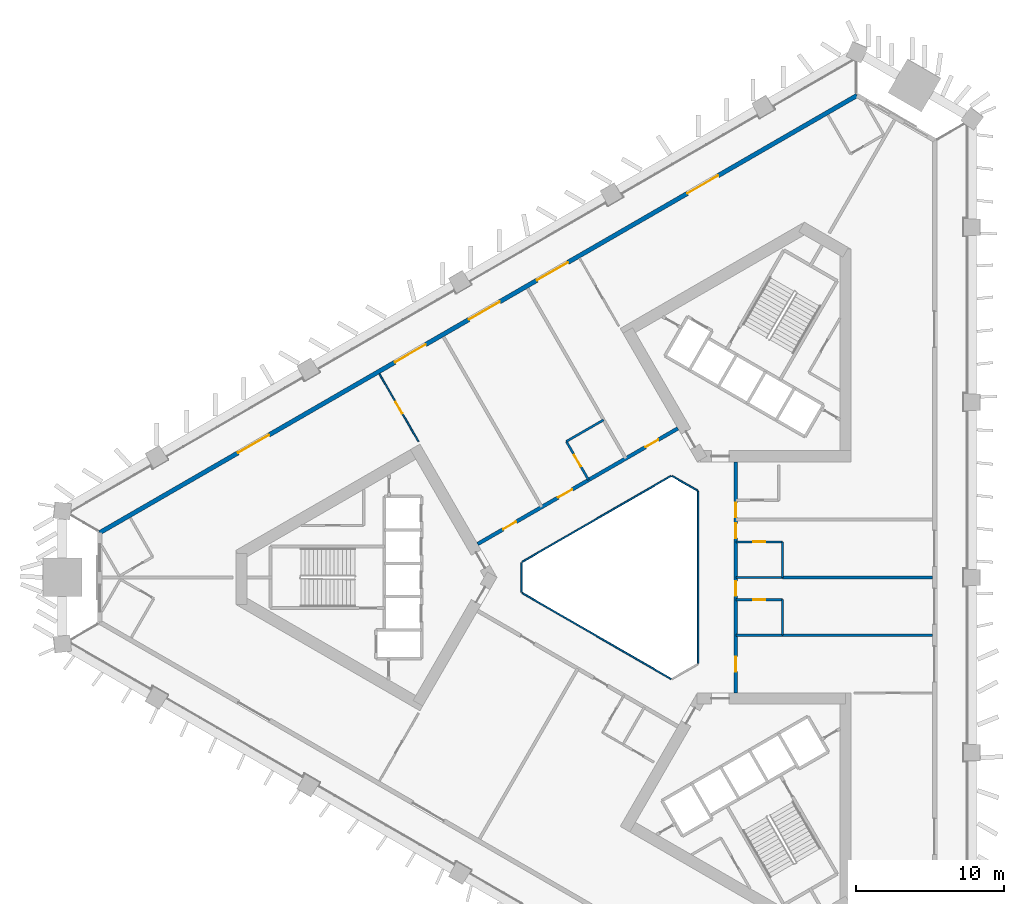
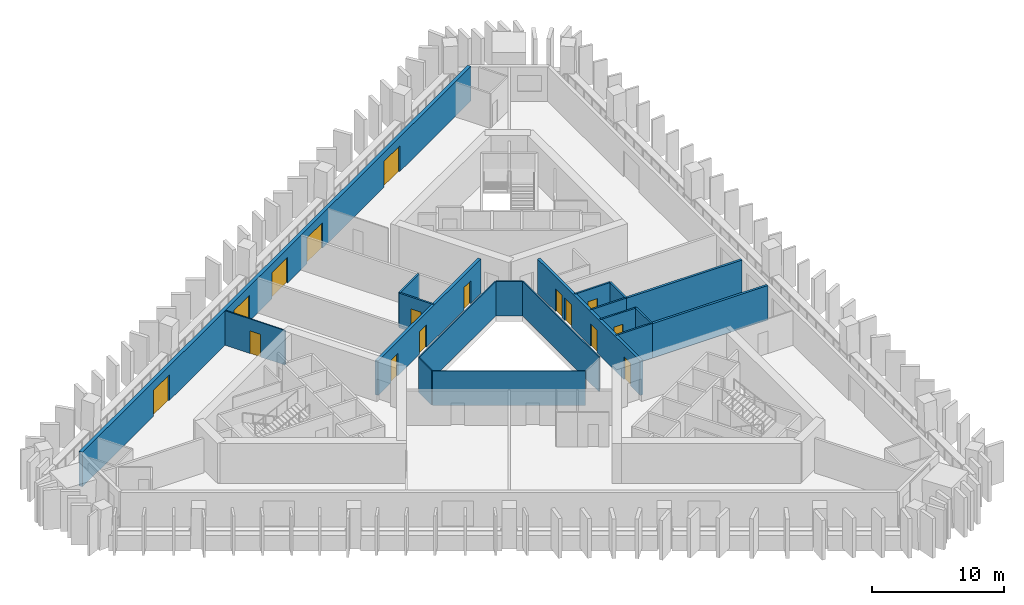
# One storey, part 5 of 11: 19 walls, 16 doors, 16 openings.
"""IFC4 building model written with IfcOpenShell, lengths in metres."""

from ifc_helpers import new_model, si_unit, direction, frame, frame_2d, origin, place, context, subcontext, project, spatial, rectangle, extrude, material, layer, layer_set, type_object, element, fill, save


model = new_model("IFC4")

# Units and contexts
model_context = context("Model", 3, precision=1e-05, world=origin(), true_north=direction((0.0, 1.0)))
body_context = subcontext(model_context, "Body", "Model", "MODEL_VIEW")
ifc_project = project(units=[si_unit("LENGTHUNIT", "METRE"), si_unit("AREAUNIT", "SQUARE_METRE"), si_unit("VOLUMEUNIT", "CUBIC_METRE"), si_unit("PLANEANGLEUNIT", "RADIAN"), si_unit("MASSUNIT", "GRAM", prefix="KILO")], contexts=[model_context])

# Site, building, storey
site_placement = place(None, origin())
site = spatial("IfcSite", under=ifc_project, at=site_placement, CompositionType="ELEMENT")
building_placement = place(site_placement, origin())
building = spatial("IfcBuilding", under=site, at=building_placement, Name="Jabali Bay Hotel Tower and Convention Centre", CompositionType="ELEMENT")
storey_placement = place(building_placement, frame((0.0, 0.0, 79.5)))
storey = spatial("IfcBuildingStorey", under=building, at=storey_placement, Name="L18", CompositionType="ELEMENT", Elevation=79.5)

# Walls
ifc_material_1 = material(Name="Fire-resistant glazing", Category="glass")
ifc_layer_1 = layer(ifc_material_1, 0.10009765625)
ifc_layer_set_1 = layer_set([ifc_layer_1], Name="Fire-resistant glazing")
wall_type_1 = type_object("IfcWallType", Name="Atrium glazed screen 100", PredefinedType="PARTITIONING", material=ifc_layer_set_1)
wall_1_placement = place(storey_placement, frame((79.56005859375, 74.205810546875, 0.0), z_axis=(0.0, 0.0, 1.0), x_axis=(0.0, 1.0, 0.0)))
element("IfcWall", 1, at=wall_1_placement, inside=storey, type_object=wall_type_1, Name="Atrium screen 1 L18", PredefinedType="PARTITIONING", context=body_context, shape_type="SweptSolid", body=[
    extrude(rectangle(XDim=11.58837890625, YDim=0.10009765625, at=frame_2d((5.794189453125, 0.0))), origin(), (0.0, 0.0, 1.0), 3.199951171875),
])
wall_2_placement = place(storey_placement, frame((79.530029296875, 85.84619140625, 0.0), z_axis=(0.0, 0.0, 1.0), x_axis=(-0.866041268327, 0.499972520799, 0.0)))
element("IfcWall", 2, at=wall_2_placement, inside=storey, type_object=wall_type_1, Name="Atrium screen 2 L18", PredefinedType="PARTITIONING", context=body_context, shape_type="SweptSolid", body=[
    extrude(rectangle(XDim=2.0, YDim=0.10009765625, at=frame_2d((1.0, 0.0))), origin(), (0.0, 0.0, 1.0), 3.199951171875),
])
wall_3_placement = place(storey_placement, frame((77.738037109375, 86.84619140625, 0.0), z_axis=(0.0, 0.0, 1.0), x_axis=(-0.866026658274, -0.499997827154, 0.0)))
element("IfcWall", 3, at=wall_3_placement, inside=storey, type_object=wall_type_1, Name="Atrium screen 3 L18", PredefinedType="PARTITIONING", context=body_context, shape_type="SweptSolid", body=[
    extrude(rectangle(XDim=11.58837890625, YDim=0.10009765625, at=frame_2d((5.794189453125, 0.0))), origin(), (0.0, 0.0, 1.0), 3.199951171875),
])
wall_4_placement = place(storey_placement, frame((67.672119140625, 81.0, 0.0), z_axis=(0.0, 0.0, 1.0), x_axis=(0.0, -1.0, 0.0)))
element("IfcWall", 4, at=wall_4_placement, inside=storey, type_object=wall_type_1, Name="Atrium screen 4 L18", PredefinedType="PARTITIONING", context=body_context, shape_type="SweptSolid", body=[
    extrude(rectangle(XDim=2.0, YDim=0.10009765625, at=frame_2d((1.0, 0.0))), origin(), (0.0, 0.0, 1.0), 3.199951171875),
])
wall_5_placement = place(storey_placement, frame((67.7021484375, 78.947998046875, 0.0), z_axis=(0.0, 0.0, 1.0), x_axis=(0.866026658274, -0.499997827154, 0.0)))
element("IfcWall", 5, at=wall_5_placement, inside=storey, type_object=wall_type_1, Name="Atrium screen 5 L18", PredefinedType="PARTITIONING", context=body_context, shape_type="SweptSolid", body=[
    extrude(rectangle(XDim=11.58837890625, YDim=0.10009765625, at=frame_2d((5.794189453125, 0.0))), origin(), (0.0, 0.0, 1.0), 3.199951171875),
])

# Wall, openings, doors
ifc_material_2 = material(Name="Concrete C60", Category="concrete")
ifc_layer_2 = layer(ifc_material_2, 0.25)
ifc_layer_set_2 = layer_set([ifc_layer_2], Name="Concrete C60")
wall_type_2 = type_object("IfcWallType", Name="Corridor wall 250", PredefinedType="SHEAR", material=ifc_layer_set_2)
wall_6_placement = place(storey_placement, frame((82.10009765625, 72.205810546875, 0.0), z_axis=(0.0, 0.0, 1.0), x_axis=(0.0, 1.0, 0.0)))
wall_6 = element("IfcWall", 6, at=wall_6_placement, inside=storey, type_object=wall_type_2, Name="Corridor wall 1 L18", PredefinedType="SHEAR", context=body_context, shape_type="SweptSolid", body=[
    extrude(rectangle(XDim=15.58837890625, YDim=0.25, at=frame_2d((7.794189453125, 0.0))), origin(), (0.0, 0.0, 1.0), 3.199951171875),
])
opening_1_placement = place(wall_6_placement, frame((1.448486328125, 0.0, 0.0)))
opening_1 = element("IfcOpeningElement", 7, at=opening_1_placement, cuts=wall_6, Name="Opening 1801", PredefinedType="OPENING", context=body_context, shape_type="SweptSolid", body=[
    extrude(rectangle(XDim=1.0, YDim=2.10009765625, at=frame_2d((0.5, 1.050048828125))), frame((0.0, 0.135498046875, 0.0), z_axis=(0.0, -1.0, 0.0), x_axis=(1.0, 0.0, 0.0)), (0.0, 0.0, 1.0), 0.27099609375),
])
opening_2_placement = place(wall_6_placement, frame((6.544189453125, 0.0, 0.0)))
opening_2 = element("IfcOpeningElement", 8, at=opening_2_placement, cuts=wall_6, Name="Opening 1805", PredefinedType="OPENING", context=body_context, shape_type="SweptSolid", body=[
    extrude(rectangle(XDim=1.0, YDim=2.10009765625, at=frame_2d((0.5, 1.050048828125))), frame((0.0, 0.135498046875, 0.0), z_axis=(0.0, -1.0, 0.0), x_axis=(1.0, 0.0, 0.0)), (0.0, 0.0, 1.0), 0.27099609375),
])
opening_3_placement = place(wall_6_placement, frame((10.44140625, 0.0, 0.0)))
opening_3 = element("IfcOpeningElement", 9, at=opening_3_placement, cuts=wall_6, Name="Opening 1807", PredefinedType="OPENING", context=body_context, shape_type="SweptSolid", body=[
    extrude(rectangle(XDim=1.0, YDim=2.10009765625, at=frame_2d((0.5, 1.050048828125))), frame((0.0, 0.135498046875, 0.0), z_axis=(0.0, -1.0, 0.0), x_axis=(1.0, 0.0, 0.0)), (0.0, 0.0, 1.0), 0.27099609375),
])
opening_4_placement = place(wall_6_placement, frame((11.84130859375, 0.0, 0.0)))
opening_4 = element("IfcOpeningElement", 10, at=opening_4_placement, cuts=wall_6, Name="Opening 1809", PredefinedType="OPENING", context=body_context, shape_type="SweptSolid", body=[
    extrude(rectangle(XDim=1.0, YDim=2.10009765625, at=frame_2d((0.5, 1.050048828125))), frame((0.0, 0.135498046875, 0.0), z_axis=(0.0, -1.0, 0.0), x_axis=(1.0, 0.0, 0.0)), (0.0, 0.0, 1.0), 0.27099609375),
])
ifc_material_3 = material(Name="Timber", Category="wood")
door_type_1 = type_object("IfcDoorType", Name="Guest room door 1000 x 2100", OperationType="NOTDEFINED", PredefinedType="NOTDEFINED", material=ifc_material_3)
door_1_placement = place(opening_1_placement, origin())
door_1 = element("IfcDoor", 11, at=door_1_placement, inside=storey, type_object=door_type_1, Name="Door 1801", OperationType="SINGLE_SWING_LEFT", OverallHeight=2.10009765625, OverallWidth=1.0, PredefinedType="NOTDEFINED", context=body_context, shape_type="SweptSolid", body=[
    extrude(rectangle(XDim=1.0, YDim=2.10009765625, at=frame_2d((0.5, 1.050048828125))), frame((0.0, 0.02490234375, 0.0), z_axis=(0.0, -1.0, 0.0), x_axis=(1.0, 0.0, 0.0)), (0.0, 0.0, 1.0), 0.050048828125),
])
fill(opening_1, door_1)
door_2_placement = place(opening_2_placement, origin())
door_2 = element("IfcDoor", 12, at=door_2_placement, inside=storey, type_object=door_type_1, Name="Door 1805", OperationType="SINGLE_SWING_LEFT", OverallHeight=2.10009765625, OverallWidth=1.0, PredefinedType="NOTDEFINED", context=body_context, shape_type="SweptSolid", body=[
    extrude(rectangle(XDim=1.0, YDim=2.10009765625, at=frame_2d((0.5, 1.050048828125))), frame((0.0, 0.02490234375, 0.0), z_axis=(0.0, -1.0, 0.0), x_axis=(1.0, 0.0, 0.0)), (0.0, 0.0, 1.0), 0.050048828125),
])
fill(opening_2, door_2)
door_3_placement = place(opening_3_placement, origin())
door_3 = element("IfcDoor", 13, at=door_3_placement, inside=storey, type_object=door_type_1, Name="Door 1807", OperationType="SINGLE_SWING_RIGHT", OverallHeight=2.10009765625, OverallWidth=1.0, PredefinedType="NOTDEFINED", context=body_context, shape_type="SweptSolid", body=[
    extrude(rectangle(XDim=1.0, YDim=2.10009765625, at=frame_2d((0.5, 1.050048828125))), frame((0.0, 0.02490234375, 0.0), z_axis=(0.0, -1.0, 0.0), x_axis=(1.0, 0.0, 0.0)), (0.0, 0.0, 1.0), 0.050048828125),
])
fill(opening_3, door_3)
door_4_placement = place(opening_4_placement, origin())
door_4 = element("IfcDoor", 14, at=door_4_placement, inside=storey, type_object=door_type_1, Name="Door 1809", OperationType="SINGLE_SWING_RIGHT", OverallHeight=2.10009765625, OverallWidth=1.0, PredefinedType="NOTDEFINED", context=body_context, shape_type="SweptSolid", body=[
    extrude(rectangle(XDim=1.0, YDim=2.10009765625, at=frame_2d((0.5, 1.050048828125))), frame((0.0, 0.02490234375, 0.0), z_axis=(0.0, -1.0, 0.0), x_axis=(1.0, 0.0, 0.0)), (0.0, 0.0, 1.0), 0.050048828125),
])
fill(opening_4, door_4)

wall_7_placement = place(storey_placement, frame((78.199951171875, 90.0458984375, 0.0), z_axis=(0.0, 0.0, 1.0), x_axis=(-0.866026492143, -0.499998114903, 0.0)))
wall_7 = element("IfcWall", 15, at=wall_7_placement, inside=storey, type_object=wall_type_2, Name="Corridor wall 2 L18", PredefinedType="SHEAR", context=body_context, shape_type="SweptSolid", body=[
    extrude(rectangle(XDim=15.58837890625, YDim=0.25, at=frame_2d((7.794189453125, 0.0))), origin(), (0.0, 0.0, 1.0), 3.199951171875),
])
opening_5_placement = place(wall_7_placement, frame((1.526611328125, 0.0, 0.0)))
opening_5 = element("IfcOpeningElement", 16, at=opening_5_placement, cuts=wall_7, Name="Opening 1810", PredefinedType="OPENING", context=body_context, shape_type="SweptSolid", body=[
    extrude(rectangle(XDim=1.0, YDim=2.10009765625, at=frame_2d((0.5, 1.050048828125))), frame((0.0, 0.135498046875, 0.0), z_axis=(0.0, -1.0, 0.0), x_axis=(1.0, 0.0, 0.0)), (0.0, 0.0, 1.0), 0.27099609375),
])
opening_6_placement = place(wall_7_placement, frame((8.2265625, 0.0, 0.0)))
opening_6 = element("IfcOpeningElement", 17, at=opening_6_placement, cuts=wall_7, Name="Opening 1814", PredefinedType="OPENING", context=body_context, shape_type="SweptSolid", body=[
    extrude(rectangle(XDim=1.10009765625, YDim=2.10009765625, at=frame_2d((0.550048828125, 1.050048828125))), frame((0.0, 0.135498046875, 0.0), z_axis=(0.0, -1.0, 0.0), x_axis=(1.0, 0.0, 0.0)), (0.0, 0.0, 1.0), 0.27099609375),
])
opening_7_placement = place(wall_7_placement, frame((12.59423828125, 0.0, 0.0)))
opening_7 = element("IfcOpeningElement", 18, at=opening_7_placement, cuts=wall_7, Name="Opening 1815", PredefinedType="OPENING", context=body_context, shape_type="SweptSolid", body=[
    extrude(rectangle(XDim=1.0, YDim=2.10009765625, at=frame_2d((0.5, 1.050048828125))), frame((0.0, 0.135498046875, 0.0), z_axis=(0.0, -1.0, 0.0), x_axis=(1.0, 0.0, 0.0)), (0.0, 0.0, 1.0), 0.27099609375),
])
door_type_2 = type_object("IfcDoorType", Name="Accessible guest room door 1100 x 2100", OperationType="NOTDEFINED", PredefinedType="NOTDEFINED", material=ifc_material_3)
door_5_placement = place(opening_6_placement, origin())
door_5 = element("IfcDoor", 19, at=door_5_placement, inside=storey, type_object=door_type_2, Name="Door 1814", OperationType="SINGLE_SWING_RIGHT", OverallHeight=2.10009765625, OverallWidth=1.10009765625, PredefinedType="NOTDEFINED", context=body_context, shape_type="SweptSolid", body=[
    extrude(rectangle(XDim=1.10009765625, YDim=2.10009765625, at=frame_2d((0.550048828125, 1.050048828125))), frame((0.0, 0.02490234375, 0.0), z_axis=(0.0, -1.0, 0.0), x_axis=(1.0, 0.0, 0.0)), (0.0, 0.0, 1.0), 0.050048828125),
])
fill(opening_6, door_5)
door_6_placement = place(opening_5_placement, origin())
door_6 = element("IfcDoor", 20, at=door_6_placement, inside=storey, type_object=door_type_1, Name="Door 1810", OperationType="SINGLE_SWING_LEFT", OverallHeight=2.10009765625, OverallWidth=1.0, PredefinedType="NOTDEFINED", context=body_context, shape_type="SweptSolid", body=[
    extrude(rectangle(XDim=1.0, YDim=2.10009765625, at=frame_2d((0.5, 1.050048828125))), frame((0.0, 0.02490234375, 0.0), z_axis=(0.0, -1.0, 0.0), x_axis=(1.0, 0.0, 0.0)), (0.0, 0.0, 1.0), 0.050048828125),
])
fill(opening_5, door_6)
door_7_placement = place(opening_7_placement, origin())
door_7 = element("IfcDoor", 21, at=door_7_placement, inside=storey, type_object=door_type_1, Name="Door 1815", OperationType="SINGLE_SWING_RIGHT", OverallHeight=2.10009765625, OverallWidth=1.0, PredefinedType="NOTDEFINED", context=body_context, shape_type="SweptSolid", body=[
    extrude(rectangle(XDim=1.0, YDim=2.10009765625, at=frame_2d((0.5, 1.050048828125))), frame((0.0, 0.02490234375, 0.0), z_axis=(0.0, -1.0, 0.0), x_axis=(1.0, 0.0, 0.0)), (0.0, 0.0, 1.0), 0.050048828125),
])
fill(opening_7, door_7)

ifc_material_4 = material(Name="Concrete C40", Category="concrete")
ifc_layer_3 = layer(ifc_material_4, 0.300048828125)
ifc_layer_set_3 = layer_set([ifc_layer_3], Name="Concrete C40")
wall_type_3 = type_object("IfcWallType", Name="External wall 300", PredefinedType="SOLIDWALL", material=ifc_layer_set_3)
wall_8_placement = place(storey_placement, frame((39.222900390625, 83.01611328125, 0.0), z_axis=(0.0, 0.0, 1.0), x_axis=(0.86602468924, 0.500001237625, 0.0)))
wall_8 = element("IfcWall", 22, at=wall_8_placement, inside=storey, type_object=wall_type_3, Name="External wall north-west face L18", PredefinedType="SOLIDWALL", context=body_context, shape_type="SweptSolid", body=[
    extrude(rectangle(XDim=58.951416015625, YDim=0.300048828125, at=frame_2d((29.4755859375, 0.0))), origin(), (0.0, 0.0, 1.0), 3.199951171875),
])
opening_8_placement = place(wall_8_placement, frame((28.743408203125, 0.0, 0.0)))
opening_8 = element("IfcOpeningElement", 23, at=opening_8_placement, cuts=wall_8, Name="Opening SD1", PredefinedType="OPENING", context=body_context, shape_type="SweptSolid", body=[
    extrude(rectangle(XDim=2.39990234375, YDim=2.39990234375, at=frame_2d((1.199951171875, 1.199951171875))), frame((0.0, 0.16064453125, 0.0), z_axis=(0.0, -1.0, 0.0), x_axis=(1.0, 0.0, 0.0)), (0.0, 0.0, 1.0), 0.321044921875),
])
opening_9_placement = place(wall_8_placement, frame((34.04345703125, 0.0, 0.0)))
opening_9 = element("IfcOpeningElement", 24, at=opening_9_placement, cuts=wall_8, Name="Opening SD1", PredefinedType="OPENING", context=body_context, shape_type="SweptSolid", body=[
    extrude(rectangle(XDim=2.39990234375, YDim=2.39990234375, at=frame_2d((1.199951171875, 1.199951171875))), frame((0.0, 0.16064453125, 0.0), z_axis=(0.0, -1.0, 0.0), x_axis=(1.0, 0.0, 0.0)), (0.0, 0.0, 1.0), 0.321044921875),
])
opening_10_placement = place(wall_8_placement, frame((45.73876953125, 0.0, 0.0)))
opening_10 = element("IfcOpeningElement", 25, at=opening_10_placement, cuts=wall_8, Name="Opening SD1", PredefinedType="OPENING", context=body_context, shape_type="SweptSolid", body=[
    extrude(rectangle(XDim=2.39990234375, YDim=2.39990234375, at=frame_2d((1.199951171875, 1.199951171875))), frame((0.0, 0.16064453125, 0.0), z_axis=(0.0, -1.0, 0.0), x_axis=(1.0, 0.0, 0.0)), (0.0, 0.0, 1.0), 0.321044921875),
])
opening_11_placement = place(wall_8_placement, frame((22.975830078125, 0.0, 0.0)))
opening_11 = element("IfcOpeningElement", 26, at=opening_11_placement, cuts=wall_8, Name="Opening SD1", PredefinedType="OPENING", context=body_context, shape_type="SweptSolid", body=[
    extrude(rectangle(XDim=2.39990234375, YDim=2.39990234375, at=frame_2d((1.199951171875, 1.199951171875))), frame((0.0, 0.16064453125, 0.0), z_axis=(0.0, -1.0, 0.0), x_axis=(1.0, 0.0, 0.0)), (0.0, 0.0, 1.0), 0.321044921875),
])
opening_12_placement = place(wall_8_placement, frame((10.772705078125, 0.0, 0.0)))
opening_12 = element("IfcOpeningElement", 27, at=opening_12_placement, cuts=wall_8, Name="Opening SD1", PredefinedType="OPENING", context=body_context, shape_type="SweptSolid", body=[
    extrude(rectangle(XDim=2.39990234375, YDim=2.39990234375, at=frame_2d((1.199951171875, 1.199951171875))), frame((0.0, 0.16064453125, 0.0), z_axis=(0.0, -1.0, 0.0), x_axis=(1.0, 0.0, 0.0)), (0.0, 0.0, 1.0), 0.321044921875),
])
ifc_material_5 = material(Name="Glass", Category="glass")
door_type_3 = type_object("IfcDoorType", Name="Loggia sliding door 2400 x 2400", OperationType="NOTDEFINED", PredefinedType="NOTDEFINED", material=ifc_material_5)
door_8_placement = place(opening_8_placement, origin())
door_8 = element("IfcDoor", 28, at=door_8_placement, inside=storey, type_object=door_type_3, Name="Loggia sliding door 1806", OperationType="SLIDING_TO_LEFT", OverallHeight=2.39990234375, OverallWidth=2.39990234375, PredefinedType="NOTDEFINED", context=body_context, shape_type="SweptSolid", body=[
    extrude(rectangle(XDim=2.39990234375, YDim=2.39990234375, at=frame_2d((1.199951171875, 1.199951171875))), frame((0.0, 0.02490234375, 0.0), z_axis=(0.0, -1.0, 0.0), x_axis=(1.0, 0.0, 0.0)), (0.0, 0.0, 1.0), 0.050048828125),
])
fill(opening_8, door_8)
door_9_placement = place(opening_9_placement, origin())
door_9 = element("IfcDoor", 29, at=door_9_placement, inside=storey, type_object=door_type_3, Name="Loggia sliding door 1805", OperationType="SLIDING_TO_RIGHT", OverallHeight=2.39990234375, OverallWidth=2.39990234375, PredefinedType="NOTDEFINED", context=body_context, shape_type="SweptSolid", body=[
    extrude(rectangle(XDim=2.39990234375, YDim=2.39990234375, at=frame_2d((1.199951171875, 1.199951171875))), frame((0.0, 0.02490234375, 0.0), z_axis=(0.0, -1.0, 0.0), x_axis=(1.0, 0.0, 0.0)), (0.0, 0.0, 1.0), 0.050048828125),
])
fill(opening_9, door_9)
door_10_placement = place(opening_10_placement, origin())
door_10 = element("IfcDoor", 30, at=door_10_placement, inside=storey, type_object=door_type_3, Name="Loggia sliding door 1805", OperationType="SLIDING_TO_LEFT", OverallHeight=2.39990234375, OverallWidth=2.39990234375, PredefinedType="NOTDEFINED", context=body_context, shape_type="SweptSolid", body=[
    extrude(rectangle(XDim=2.39990234375, YDim=2.39990234375, at=frame_2d((1.199951171875, 1.199951171875))), frame((0.0, 0.02490234375, 0.0), z_axis=(0.0, -1.0, 0.0), x_axis=(1.0, 0.0, 0.0)), (0.0, 0.0, 1.0), 0.050048828125),
])
fill(opening_10, door_10)
door_11_placement = place(opening_11_placement, origin())
door_11 = element("IfcDoor", 31, at=door_11_placement, inside=storey, type_object=door_type_3, Name="Loggia sliding door 1807", OperationType="SLIDING_TO_RIGHT", OverallHeight=2.39990234375, OverallWidth=2.39990234375, PredefinedType="NOTDEFINED", context=body_context, shape_type="SweptSolid", body=[
    extrude(rectangle(XDim=2.39990234375, YDim=2.39990234375, at=frame_2d((1.199951171875, 1.199951171875))), frame((0.0, 0.02490234375, 0.0), z_axis=(0.0, -1.0, 0.0), x_axis=(1.0, 0.0, 0.0)), (0.0, 0.0, 1.0), 0.050048828125),
])
fill(opening_11, door_11)
door_12_placement = place(opening_12_placement, origin())
door_12 = element("IfcDoor", 32, at=door_12_placement, inside=storey, type_object=door_type_3, Name="Loggia sliding door 1807", OperationType="SLIDING_TO_LEFT", OverallHeight=2.39990234375, OverallWidth=2.39990234375, PredefinedType="NOTDEFINED", context=body_context, shape_type="SweptSolid", body=[
    extrude(rectangle(XDim=2.39990234375, YDim=2.39990234375, at=frame_2d((1.199951171875, 1.199951171875))), frame((0.0, 0.02490234375, 0.0), z_axis=(0.0, -1.0, 0.0), x_axis=(1.0, 0.0, 0.0)), (0.0, 0.0, 1.0), 0.050048828125),
])
fill(opening_12, door_12)

# Wall, opening, door
ifc_material_6 = material(Name="Plasterboard on steel stud", Category="steel")
ifc_layer_4 = layer(ifc_material_6, 0.10009765625)
ifc_layer_set_4 = layer_set([ifc_layer_4], Name="Plasterboard on steel stud")
wall_type_4 = type_object("IfcWallType", Name="Partition 100 unit", PredefinedType="PARTITIONING", material=ifc_layer_set_4)
wall_9_placement = place(storey_placement, frame((58.07421875, 93.72802734375, 0.0), z_axis=(0.0, 0.0, 1.0), x_axis=(0.499973627007, -0.866040629704, 0.0)))
wall_9 = element("IfcWall", 33, at=wall_9_placement, inside=storey, type_object=wall_type_4, Name="Partition P02 L18 026", PredefinedType="PARTITIONING", context=body_context, shape_type="SweptSolid", body=[
    extrude(rectangle(XDim=5.272705078125, YDim=0.10009765625, at=frame_2d((2.63623046875, 0.0))), origin(), (0.0, 0.0, 1.0), 3.199951171875),
])
opening_13_placement = place(wall_9_placement, frame((2.18603515625, 0.0, 0.0)))
opening_13 = element("IfcOpeningElement", 34, at=opening_13_placement, cuts=wall_9, Name="Opening 1816", PredefinedType="OPENING", context=body_context, shape_type="SweptSolid", body=[
    extrude(rectangle(XDim=0.89990234375, YDim=2.10009765625, at=frame_2d((0.449951171875, 1.050048828125))), frame((0.0, 0.060546875, 0.0), z_axis=(0.0, -1.0, 0.0), x_axis=(1.0, 0.0, 0.0)), (0.0, 0.0, 1.0), 0.12109375),
])
door_type_4 = type_object("IfcDoorType", Name="Internal door 900 x 2100", OperationType="NOTDEFINED", PredefinedType="NOTDEFINED", material=ifc_material_3)
door_13_placement = place(opening_13_placement, origin())
door_13 = element("IfcDoor", 35, at=door_13_placement, inside=storey, type_object=door_type_4, Name="Door 1816", OperationType="SINGLE_SWING_LEFT", OverallHeight=2.10009765625, OverallWidth=0.89990234375, PredefinedType="NOTDEFINED", context=body_context, shape_type="SweptSolid", body=[
    extrude(rectangle(XDim=0.89990234375, YDim=2.10009765625, at=frame_2d((0.449951171875, 1.050048828125))), frame((0.0, 0.02490234375, 0.0), z_axis=(0.0, -1.0, 0.0), x_axis=(1.0, 0.0, 0.0)), (0.0, 0.0, 1.0), 0.050048828125),
])
fill(opening_13, door_13)

# Wall
ifc_layer_5 = layer(ifc_material_6, 0.14990234375)
ifc_layer_set_5 = layer_set([ifc_layer_5], Name="Plasterboard on steel stud")
wall_type_5 = type_object("IfcWallType", Name="Partition 150 wet", PredefinedType="PARTITIONING", material=ifc_layer_set_5)
wall_10_placement = place(storey_placement, frame((85.245361328125, 76.102783203125, 0.0), z_axis=(0.0, 0.0, 1.0), x_axis=(-1.0, 0.0, 0.0)))
element("IfcWall", 36, at=wall_10_placement, inside=storey, type_object=wall_type_5, Name="Partition P03 L18 003", PredefinedType="PARTITIONING", context=body_context, shape_type="SweptSolid", body=[
    extrude(rectangle(XDim=3.145263671875, YDim=0.14990234375, at=frame_2d((1.57275390625, 0.0))), origin(), (0.0, 0.0, 1.0), 3.199951171875),
])

# Wall, opening, door
wall_11_placement = place(storey_placement, frame((82.10009765625, 78.5, 0.0), z_axis=(0.0, 0.0, 1.0), x_axis=(1.0, 0.0, 0.0)))
wall_11 = element("IfcWall", 37, at=wall_11_placement, inside=storey, type_object=wall_type_5, Name="Partition P03 L18 008", PredefinedType="PARTITIONING", context=body_context, shape_type="SweptSolid", body=[
    extrude(rectangle(XDim=3.145263671875, YDim=0.14990234375, at=frame_2d((1.57275390625, 0.0))), origin(), (0.0, 0.0, 1.0), 3.199951171875),
])
opening_14_placement = place(wall_11_placement, frame((1.173095703125, 0.0, 0.0)))
opening_14 = element("IfcOpeningElement", 38, at=opening_14_placement, cuts=wall_11, Name="Opening 1804", PredefinedType="OPENING", context=body_context, shape_type="SweptSolid", body=[
    extrude(rectangle(XDim=0.800048828125, YDim=2.10009765625, at=frame_2d((0.39990234375, 1.050048828125))), frame((0.0, 0.08544921875, 0.0), z_axis=(0.0, -1.0, 0.0), x_axis=(1.0, 0.0, 0.0)), (0.0, 0.0, 1.0), 0.1708984375),
])
door_type_5 = type_object("IfcDoorType", Name="En-suite door 800 x 2100", OperationType="NOTDEFINED", PredefinedType="NOTDEFINED", material=ifc_material_3)
door_14_placement = place(opening_14_placement, origin())
door_14 = element("IfcDoor", 39, at=door_14_placement, inside=storey, type_object=door_type_5, Name="Door 1804", OperationType="SINGLE_SWING_RIGHT", OverallHeight=2.10009765625, OverallWidth=0.800048828125, PredefinedType="NOTDEFINED", context=body_context, shape_type="SweptSolid", body=[
    extrude(rectangle(XDim=0.800048828125, YDim=2.10009765625, at=frame_2d((0.39990234375, 1.050048828125))), frame((0.0, 0.02490234375, 0.0), z_axis=(0.0, -1.0, 0.0), x_axis=(1.0, 0.0, 0.0)), (0.0, 0.0, 1.0), 0.050048828125),
])
fill(opening_14, door_14)

# Walls
wall_12_placement = place(storey_placement, frame((85.245361328125, 78.5, 0.0), z_axis=(0.0, 0.0, 1.0), x_axis=(0.0, -1.0, 0.0)))
element("IfcWall", 40, at=wall_12_placement, inside=storey, type_object=wall_type_5, Name="Partition P03 L18 009", PredefinedType="PARTITIONING", context=body_context, shape_type="SweptSolid", body=[
    extrude(rectangle(XDim=2.397216796875, YDim=0.14990234375, at=frame_2d((1.19873046875, 0.0))), origin(), (0.0, 0.0, 1.0), 3.199951171875),
])
wall_13_placement = place(storey_placement, frame((85.245361328125, 80.0, 0.0), z_axis=(0.0, 0.0, 1.0), x_axis=(-1.0, 0.0, 0.0)))
element("IfcWall", 41, at=wall_13_placement, inside=storey, type_object=wall_type_5, Name="Partition P03 L18 011", PredefinedType="PARTITIONING", context=body_context, shape_type="SweptSolid", body=[
    extrude(rectangle(XDim=3.145263671875, YDim=0.14990234375, at=frame_2d((1.57275390625, 0.0))), origin(), (0.0, 0.0, 1.0), 3.199951171875),
])

# Wall, opening, door
wall_14_placement = place(storey_placement, frame((82.10009765625, 82.397216796875, 0.0), z_axis=(0.0, 0.0, 1.0), x_axis=(1.0, 0.0, 0.0)))
wall_14 = element("IfcWall", 42, at=wall_14_placement, inside=storey, type_object=wall_type_5, Name="Partition P03 L18 012", PredefinedType="PARTITIONING", context=body_context, shape_type="SweptSolid", body=[
    extrude(rectangle(XDim=3.145263671875, YDim=0.14990234375, at=frame_2d((1.57275390625, 0.0))), origin(), (0.0, 0.0, 1.0), 3.199951171875),
])
opening_15_placement = place(wall_14_placement, frame((1.173095703125, 0.0, 0.0)))
opening_15 = element("IfcOpeningElement", 43, at=opening_15_placement, cuts=wall_14, Name="Opening 1806", PredefinedType="OPENING", context=body_context, shape_type="SweptSolid", body=[
    extrude(rectangle(XDim=0.800048828125, YDim=2.10009765625, at=frame_2d((0.39990234375, 1.050048828125))), frame((0.0, 0.08544921875, 0.0), z_axis=(0.0, -1.0, 0.0), x_axis=(1.0, 0.0, 0.0)), (0.0, 0.0, 1.0), 0.1708984375),
])
door_15_placement = place(opening_15_placement, origin())
door_15 = element("IfcDoor", 44, at=door_15_placement, inside=storey, type_object=door_type_5, Name="Door 1806", OperationType="SINGLE_SWING_RIGHT", OverallHeight=2.10009765625, OverallWidth=0.800048828125, PredefinedType="NOTDEFINED", context=body_context, shape_type="SweptSolid", body=[
    extrude(rectangle(XDim=0.800048828125, YDim=2.10009765625, at=frame_2d((0.39990234375, 1.050048828125))), frame((0.0, 0.02490234375, 0.0), z_axis=(0.0, -1.0, 0.0), x_axis=(1.0, 0.0, 0.0)), (0.0, 0.0, 1.0), 0.050048828125),
])
fill(opening_15, door_15)

# Wall
wall_15_placement = place(storey_placement, frame((85.245361328125, 82.397216796875, 0.0), z_axis=(0.0, 0.0, 1.0), x_axis=(0.0, -1.0, 0.0)))
element("IfcWall", 45, at=wall_15_placement, inside=storey, type_object=wall_type_5, Name="Partition P03 L18 013", PredefinedType="PARTITIONING", context=body_context, shape_type="SweptSolid", body=[
    extrude(rectangle(XDim=2.397216796875, YDim=0.14990234375, at=frame_2d((1.19873046875, 0.0))), origin(), (0.0, 0.0, 1.0), 3.199951171875),
])

# Wall, opening, door
wall_16_placement = place(storey_placement, frame((72.178466796875, 86.5693359375, 0.0), z_axis=(0.0, 0.0, 1.0), x_axis=(-0.499990139034, 0.866031096941, 0.0)))
wall_16 = element("IfcWall", 46, at=wall_16_placement, inside=storey, type_object=wall_type_5, Name="Partition P03 L18 023", PredefinedType="PARTITIONING", context=body_context, shape_type="SweptSolid", body=[
    extrude(rectangle(XDim=3.0, YDim=0.14990234375, at=frame_2d((1.5, 0.0))), origin(), (0.0, 0.0, 1.0), 3.199951171875),
])
opening_16_placement = place(wall_16_placement, frame((1.050048828125, 0.0, 0.0)))
opening_16 = element("IfcOpeningElement", 47, at=opening_16_placement, cuts=wall_16, Name="Opening 1813", PredefinedType="OPENING", context=body_context, shape_type="SweptSolid", body=[
    extrude(rectangle(XDim=0.89990234375, YDim=2.10009765625, at=frame_2d((0.449951171875, 1.050048828125))), frame((0.0, 0.08544921875, 0.0), z_axis=(0.0, -1.0, 0.0), x_axis=(1.0, 0.0, 0.0)), (0.0, 0.0, 1.0), 0.1708984375),
])
door_type_6 = type_object("IfcDoorType", Name="Accessible en-suite door 900 x 2100", OperationType="NOTDEFINED", PredefinedType="NOTDEFINED", material=ifc_material_3)
door_16_placement = place(opening_16_placement, origin())
door_16 = element("IfcDoor", 48, at=door_16_placement, inside=storey, type_object=door_type_6, Name="Door 1813", OperationType="SINGLE_SWING_LEFT", OverallHeight=2.10009765625, OverallWidth=0.89990234375, PredefinedType="NOTDEFINED", context=body_context, shape_type="SweptSolid", body=[
    extrude(rectangle(XDim=0.89990234375, YDim=2.10009765625, at=frame_2d((0.449951171875, 1.050048828125))), frame((0.0, 0.02490234375, 0.0), z_axis=(0.0, -1.0, 0.0), x_axis=(1.0, 0.0, 0.0)), (0.0, 0.0, 1.0), 0.050048828125),
])
fill(opening_16, door_16)

# Walls
wall_17_placement = place(storey_placement, frame((70.678466796875, 89.16748046875, 0.0), z_axis=(0.0, 0.0, 1.0), x_axis=(0.866032775405, 0.499987231761, 0.0)))
element("IfcWall", 49, at=wall_17_placement, inside=storey, type_object=wall_type_5, Name="Partition P03 L18 024", PredefinedType="PARTITIONING", context=body_context, shape_type="SweptSolid", body=[
    extrude(rectangle(XDim=2.89990234375, YDim=0.14990234375, at=frame_2d((1.449951171875, 0.0))), origin(), (0.0, 0.0, 1.0), 3.199951171875),
])
ifc_layer_6 = layer(ifc_material_6, 0.199951171875)
ifc_layer_set_6 = layer_set([ifc_layer_6], Name="Plasterboard on steel stud")
wall_type_6 = type_object("IfcWallType", Name="Partition 200 party", PredefinedType="PARTITIONING", material=ifc_layer_set_6)
for number, where, z_axis, x_axis, name in (
    (50, (95.3515625, 76.102783203125, 0.0), (0.0, 0.0, 1.0), (-1.0, 0.0, 0.0), "Partition P01 L18 002"),
    (51, (95.3515625, 80.0, 0.0), (0.0, 0.0, 1.0), (-1.0, 0.0, 0.0), "Partition P01 L18 010"),
):
    element("IfcWall", number, at=place(storey_placement, frame(where, z_axis=z_axis, x_axis=x_axis)), inside=storey, type_object=wall_type_6, Name=name, PredefinedType="PARTITIONING", context=body_context, shape_type="SweptSolid", body=[
        extrude(rectangle(XDim=10.106201171875, YDim=0.199951171875, at=frame_2d((5.05322265625, 0.0))), origin(), (0.0, 0.0, 1.0), 3.199951171875),
    ])

save(model, "model.ifc")
